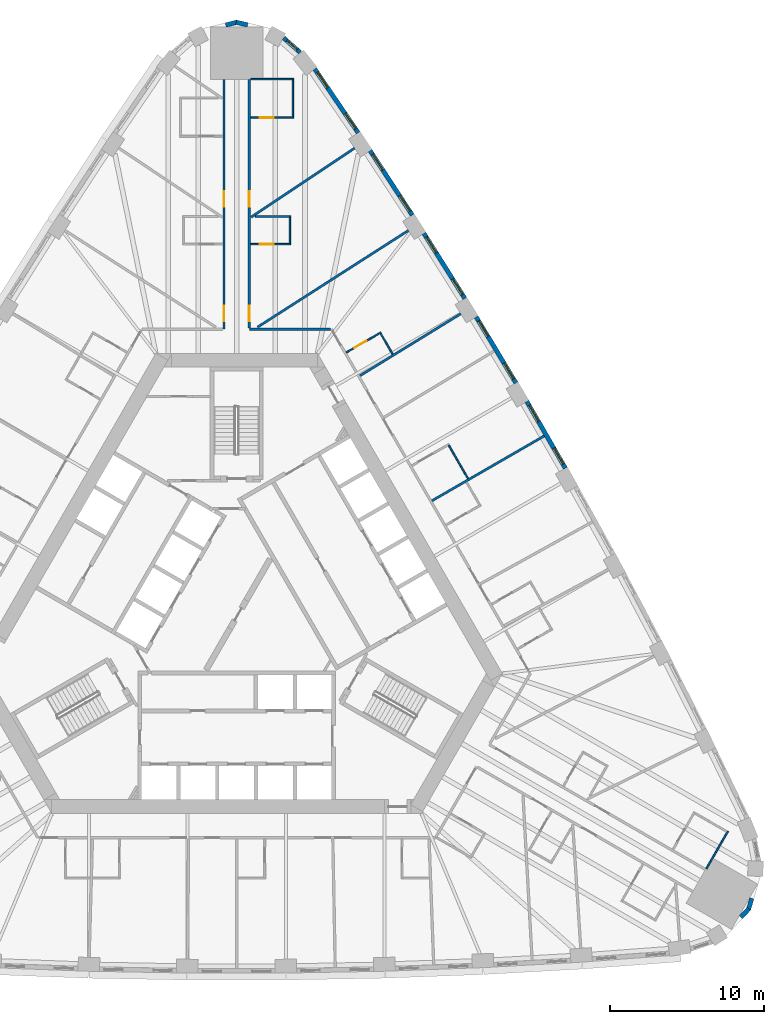
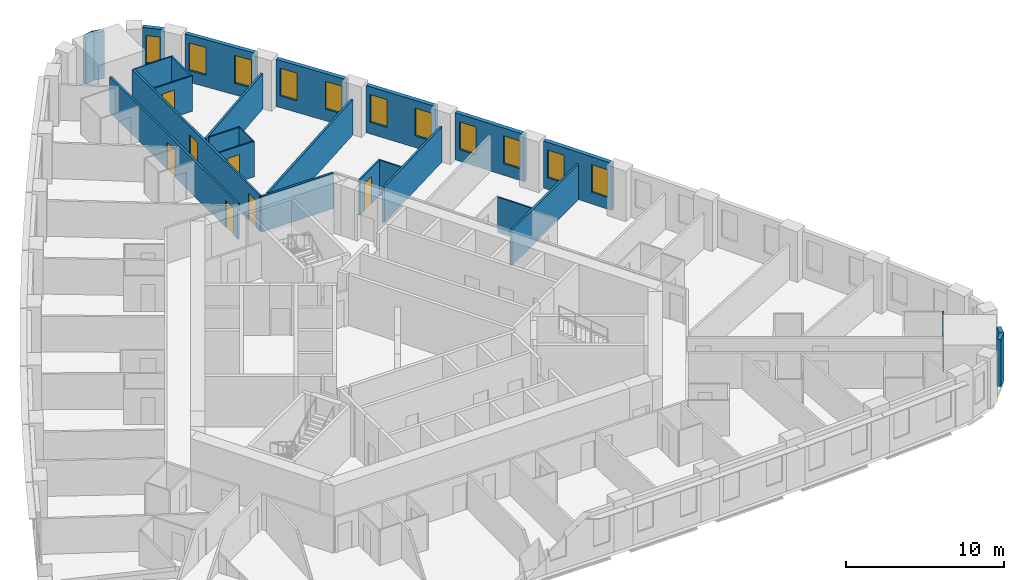
# One storey, part 11 of 13: 27 walls, 11 windows, 7 doors, 18 openings.
"""IFC4 building model written with IfcOpenShell, lengths in metres."""

from ifc_helpers import new_model, si_unit, direction, frame, frame_2d, origin, place, context, subcontext, project, spatial, rectangle, extrude, material, layer, layer_set, type_object, element, fill, save


model = new_model("IFC4")

# Units and contexts
model_context = context("Model", 3, precision=1e-05, world=origin(), true_north=direction((0.0, 1.0)))
body_context = subcontext(model_context, "Body", "Model", "MODEL_VIEW")
ifc_project = project(units=[si_unit("LENGTHUNIT", "METRE"), si_unit("AREAUNIT", "SQUARE_METRE"), si_unit("VOLUMEUNIT", "CUBIC_METRE"), si_unit("PLANEANGLEUNIT", "RADIAN"), si_unit("MASSUNIT", "GRAM", prefix="KILO")], contexts=[model_context])

# Site, building, storey
site_placement = place(None, origin())
site = spatial("IfcSite", under=ifc_project, at=site_placement, CompositionType="ELEMENT")
building_placement = place(site_placement, origin())
building = spatial("IfcBuilding", under=site, at=building_placement, Name="Mestral Congress Tower", CompositionType="ELEMENT")
storey_placement = place(building_placement, frame((0.0, 0.0, 31.5)))
storey = spatial("IfcBuildingStorey", under=building, at=storey_placement, Name="L06", CompositionType="ELEMENT", Elevation=31.5)

# Walls
ifc_material_1 = material(Name="Precast concrete C40/50 with limestone facing", Category="masonry")
ifc_layer_1 = layer(ifc_material_1, 0.2900390625)
ifc_layer_set_1 = layer_set([ifc_layer_1], Name="Precast concrete C40/50 with limestone facing")
wall_type_1 = type_object("IfcWallType", Name="Facade stone wall 290", PredefinedType="SOLIDWALL", material=ifc_layer_set_1)
for number, where, z_axis, x_axis, name in (
    (1, (32.762451171875, -19.732177734375, 0.0), (0.0, 0.0, 1.0), (0.692252359589, 0.721655506903, 0.0), "Facade wall K0-1"),
    (2, (33.256591796875, -19.24072265625, 0.0), (0.0, 0.0, 1.0), (0.278981320915, 0.960296528464, 0.0), "Facade wall K0-2"),
):
    element("IfcWall", number, at=place(storey_placement, frame(where, z_axis=z_axis, x_axis=x_axis)), inside=storey, type_object=wall_type_1, Name=name, PredefinedType="SOLIDWALL", context=body_context, shape_type="SweptSolid", body=[
        extrude(rectangle(XDim=0.763916015625, YDim=0.2900390625, at=frame_2d((0.3818359375, 0.0))), origin(), (0.0, 0.0, 1.0), 3.64990234375),
    ])

# Wall, openings, windows
wall_1_placement = place(storey_placement, frame((21.357177734375, 9.44482421875, 0.0), z_axis=(0.0, 0.0, 1.0), x_axis=(-0.50002123722, 0.866013142123, 0.0)))
wall_1 = element("IfcWall", 3, at=wall_1_placement, inside=storey, type_object=wall_type_1, Name="Facade wall F1-04", PredefinedType="SOLIDWALL", context=body_context, shape_type="SweptSolid", body=[
    extrude(rectangle(XDim=4.998291015625, YDim=0.2900390625, at=frame_2d((2.4990234375, 0.0))), origin(), (0.0, 0.0, 1.0), 3.64990234375),
])
opening_1_placement = place(wall_1_placement, frame((0.297119140625, 0.0, 0.89990234375)))
opening_1 = element("IfcOpeningElement", 4, at=opening_1_placement, cuts=wall_1, Name="Opening W1", PredefinedType="OPENING", context=body_context, shape_type="SweptSolid", body=[
    extrude(rectangle(XDim=1.199951171875, YDim=2.14990234375, at=frame_2d((0.60009765625, 1.074951171875))), frame((0.0, 0.155029296875, 0.0), z_axis=(0.0, -1.0, 0.0), x_axis=(1.0, 0.0, 0.0)), (0.0, 0.0, 1.0), 0.31005859375),
])
opening_2_placement = place(wall_1_placement, frame((3.501220703125, 0.0, 0.89990234375)))
opening_2 = element("IfcOpeningElement", 5, at=opening_2_placement, cuts=wall_1, Name="Opening W1", PredefinedType="OPENING", context=body_context, shape_type="SweptSolid", body=[
    extrude(rectangle(XDim=1.199951171875, YDim=2.14990234375, at=frame_2d((0.60009765625, 1.074951171875))), frame((0.0, 0.155029296875, 0.0), z_axis=(0.0, -1.0, 0.0), x_axis=(1.0, 0.0, 0.0)), (0.0, 0.0, 1.0), 0.31005859375),
])
ifc_material_2 = material(Name="Clear low-emissivity double glazing", Category="glass")
window_type_1 = type_object("IfcWindowType", Name="Facade punched window 1200 x 2150 sill 900", PartitioningType="DOUBLE_PANEL_VERTICAL", PredefinedType="WINDOW", material=ifc_material_2)
window_1_placement = place(opening_1_placement, origin())
window_1 = element("IfcWindow", 6, at=window_1_placement, inside=storey, type_object=window_type_1, Name="Window F1-04a", OverallHeight=2.14990234375, OverallWidth=1.199951171875, PartitioningType="DOUBLE_PANEL_VERTICAL", PredefinedType="WINDOW", context=body_context, shape_type="SweptSolid", body=[
    extrude(rectangle(XDim=1.199951171875, YDim=2.14990234375, at=frame_2d((0.60009765625, 1.074951171875))), frame((0.0, 0.01513671875, 0.0), z_axis=(0.0, -1.0, 0.0), x_axis=(1.0, 0.0, 0.0)), (0.0, 0.0, 1.0), 0.06005859375),
])
fill(opening_1, window_1)
window_2_placement = place(opening_2_placement, origin())
window_2 = element("IfcWindow", 7, at=window_2_placement, inside=storey, type_object=window_type_1, Name="Window F1-04b", OverallHeight=2.14990234375, OverallWidth=1.199951171875, PartitioningType="DOUBLE_PANEL_VERTICAL", PredefinedType="WINDOW", context=body_context, shape_type="SweptSolid", body=[
    extrude(rectangle(XDim=1.199951171875, YDim=2.14990234375, at=frame_2d((0.60009765625, 1.074951171875))), frame((0.0, 0.01513671875, 0.0), z_axis=(0.0, -1.0, 0.0), x_axis=(1.0, 0.0, 0.0)), (0.0, 0.0, 1.0), 0.06005859375),
])
fill(opening_2, window_2)

wall_2_placement = place(storey_placement, frame((18.143310546875, 14.985595703125, 0.0), z_axis=(0.0, 0.0, 1.0), x_axis=(-0.515938796285, 0.856625448191, 0.0)))
wall_2 = element("IfcWall", 8, at=wall_2_placement, inside=storey, type_object=wall_type_1, Name="Facade wall F1-05", PredefinedType="SOLIDWALL", context=body_context, shape_type="SweptSolid", body=[
    extrude(rectangle(XDim=4.998291015625, YDim=0.2900390625, at=frame_2d((2.4990234375, 0.0))), origin(), (0.0, 0.0, 1.0), 3.64990234375),
])
opening_3_placement = place(wall_2_placement, frame((0.297119140625, 0.0, 0.89990234375)))
opening_3 = element("IfcOpeningElement", 9, at=opening_3_placement, cuts=wall_2, Name="Opening W1", PredefinedType="OPENING", context=body_context, shape_type="SweptSolid", body=[
    extrude(rectangle(XDim=1.199951171875, YDim=2.14990234375, at=frame_2d((0.60009765625, 1.074951171875))), frame((0.0, 0.155029296875, 0.0), z_axis=(0.0, -1.0, 0.0), x_axis=(1.0, 0.0, 0.0)), (0.0, 0.0, 1.0), 0.31005859375),
])
opening_4_placement = place(wall_2_placement, frame((3.501220703125, 0.0, 0.89990234375)))
opening_4 = element("IfcOpeningElement", 10, at=opening_4_placement, cuts=wall_2, Name="Opening W1", PredefinedType="OPENING", context=body_context, shape_type="SweptSolid", body=[
    extrude(rectangle(XDim=1.199951171875, YDim=2.14990234375, at=frame_2d((0.60009765625, 1.074951171875))), frame((0.0, 0.155029296875, 0.0), z_axis=(0.0, -1.0, 0.0), x_axis=(1.0, 0.0, 0.0)), (0.0, 0.0, 1.0), 0.31005859375),
])
window_3_placement = place(opening_3_placement, origin())
window_3 = element("IfcWindow", 11, at=window_3_placement, inside=storey, type_object=window_type_1, Name="Window F1-05a", OverallHeight=2.14990234375, OverallWidth=1.199951171875, PartitioningType="DOUBLE_PANEL_VERTICAL", PredefinedType="WINDOW", context=body_context, shape_type="SweptSolid", body=[
    extrude(rectangle(XDim=1.199951171875, YDim=2.14990234375, at=frame_2d((0.60009765625, 1.074951171875))), frame((0.0, 0.01513671875, 0.0), z_axis=(0.0, -1.0, 0.0), x_axis=(1.0, 0.0, 0.0)), (0.0, 0.0, 1.0), 0.06005859375),
])
fill(opening_3, window_3)
window_4_placement = place(opening_4_placement, origin())
window_4 = element("IfcWindow", 12, at=window_4_placement, inside=storey, type_object=window_type_1, Name="Window F1-05b", OverallHeight=2.14990234375, OverallWidth=1.199951171875, PartitioningType="DOUBLE_PANEL_VERTICAL", PredefinedType="WINDOW", context=body_context, shape_type="SweptSolid", body=[
    extrude(rectangle(XDim=1.199951171875, YDim=2.14990234375, at=frame_2d((0.60009765625, 1.074951171875))), frame((0.0, 0.01513671875, 0.0), z_axis=(0.0, -1.0, 0.0), x_axis=(1.0, 0.0, 0.0)), (0.0, 0.0, 1.0), 0.06005859375),
])
fill(opening_4, window_4)

wall_3_placement = place(storey_placement, frame((14.827392578125, 20.466064453125, 0.0), z_axis=(0.0, 0.0, 1.0), x_axis=(-0.531688286542, 0.846940119462, 0.0)))
wall_3 = element("IfcWall", 13, at=wall_3_placement, inside=storey, type_object=wall_type_1, Name="Facade wall F1-06", PredefinedType="SOLIDWALL", context=body_context, shape_type="SweptSolid", body=[
    extrude(rectangle(XDim=4.998291015625, YDim=0.2900390625, at=frame_2d((2.4990234375, 0.0))), origin(), (0.0, 0.0, 1.0), 3.64990234375),
])
opening_5_placement = place(wall_3_placement, frame((0.297119140625, 0.0, 0.89990234375)))
opening_5 = element("IfcOpeningElement", 14, at=opening_5_placement, cuts=wall_3, Name="Opening W1", PredefinedType="OPENING", context=body_context, shape_type="SweptSolid", body=[
    extrude(rectangle(XDim=1.199951171875, YDim=2.14990234375, at=frame_2d((0.60009765625, 1.074951171875))), frame((0.0, 0.155029296875, 0.0), z_axis=(0.0, -1.0, 0.0), x_axis=(1.0, 0.0, 0.0)), (0.0, 0.0, 1.0), 0.31005859375),
])
opening_6_placement = place(wall_3_placement, frame((3.501220703125, 0.0, 0.89990234375)))
opening_6 = element("IfcOpeningElement", 15, at=opening_6_placement, cuts=wall_3, Name="Opening W1", PredefinedType="OPENING", context=body_context, shape_type="SweptSolid", body=[
    extrude(rectangle(XDim=1.199951171875, YDim=2.14990234375, at=frame_2d((0.60009765625, 1.074951171875))), frame((0.0, 0.155029296875, 0.0), z_axis=(0.0, -1.0, 0.0), x_axis=(1.0, 0.0, 0.0)), (0.0, 0.0, 1.0), 0.31005859375),
])
window_5_placement = place(opening_5_placement, origin())
window_5 = element("IfcWindow", 16, at=window_5_placement, inside=storey, type_object=window_type_1, Name="Window F1-06a", OverallHeight=2.14990234375, OverallWidth=1.199951171875, PartitioningType="DOUBLE_PANEL_VERTICAL", PredefinedType="WINDOW", context=body_context, shape_type="SweptSolid", body=[
    extrude(rectangle(XDim=1.199951171875, YDim=2.14990234375, at=frame_2d((0.60009765625, 1.074951171875))), frame((0.0, 0.01513671875, 0.0), z_axis=(0.0, -1.0, 0.0), x_axis=(1.0, 0.0, 0.0)), (0.0, 0.0, 1.0), 0.06005859375),
])
fill(opening_5, window_5)
window_6_placement = place(opening_6_placement, origin())
window_6 = element("IfcWindow", 17, at=window_6_placement, inside=storey, type_object=window_type_1, Name="Window F1-06b", OverallHeight=2.14990234375, OverallWidth=1.199951171875, PartitioningType="DOUBLE_PANEL_VERTICAL", PredefinedType="WINDOW", context=body_context, shape_type="SweptSolid", body=[
    extrude(rectangle(XDim=1.199951171875, YDim=2.14990234375, at=frame_2d((0.60009765625, 1.074951171875))), frame((0.0, 0.01513671875, 0.0), z_axis=(0.0, -1.0, 0.0), x_axis=(1.0, 0.0, 0.0)), (0.0, 0.0, 1.0), 0.06005859375),
])
fill(opening_6, window_6)

wall_4_placement = place(storey_placement, frame((11.41064453125, 25.884033203125, 0.0), z_axis=(0.0, 0.0, 1.0), x_axis=(-0.547204617628, 0.836998868845, 0.0)))
wall_4 = element("IfcWall", 18, at=wall_4_placement, inside=storey, type_object=wall_type_1, Name="Facade wall F1-07", PredefinedType="SOLIDWALL", context=body_context, shape_type="SweptSolid", body=[
    extrude(rectangle(XDim=4.998291015625, YDim=0.2900390625, at=frame_2d((2.4990234375, 0.0))), origin(), (0.0, 0.0, 1.0), 3.64990234375),
])
opening_7_placement = place(wall_4_placement, frame((0.297119140625, 0.0, 0.89990234375)))
opening_7 = element("IfcOpeningElement", 19, at=opening_7_placement, cuts=wall_4, Name="Opening W1", PredefinedType="OPENING", context=body_context, shape_type="SweptSolid", body=[
    extrude(rectangle(XDim=1.199951171875, YDim=2.14990234375, at=frame_2d((0.60009765625, 1.074951171875))), frame((0.0, 0.155029296875, 0.0), z_axis=(0.0, -1.0, 0.0), x_axis=(1.0, 0.0, 0.0)), (0.0, 0.0, 1.0), 0.31005859375),
])
opening_8_placement = place(wall_4_placement, frame((3.501220703125, 0.0, 0.89990234375)))
opening_8 = element("IfcOpeningElement", 20, at=opening_8_placement, cuts=wall_4, Name="Opening W1", PredefinedType="OPENING", context=body_context, shape_type="SweptSolid", body=[
    extrude(rectangle(XDim=1.199951171875, YDim=2.14990234375, at=frame_2d((0.60009765625, 1.074951171875))), frame((0.0, 0.155029296875, 0.0), z_axis=(0.0, -1.0, 0.0), x_axis=(1.0, 0.0, 0.0)), (0.0, 0.0, 1.0), 0.31005859375),
])
window_7_placement = place(opening_7_placement, origin())
window_7 = element("IfcWindow", 21, at=window_7_placement, inside=storey, type_object=window_type_1, Name="Window F1-07a", OverallHeight=2.14990234375, OverallWidth=1.199951171875, PartitioningType="DOUBLE_PANEL_VERTICAL", PredefinedType="WINDOW", context=body_context, shape_type="SweptSolid", body=[
    extrude(rectangle(XDim=1.199951171875, YDim=2.14990234375, at=frame_2d((0.60009765625, 1.074951171875))), frame((0.0, 0.01513671875, 0.0), z_axis=(0.0, -1.0, 0.0), x_axis=(1.0, 0.0, 0.0)), (0.0, 0.0, 1.0), 0.06005859375),
])
fill(opening_7, window_7)
window_8_placement = place(opening_8_placement, origin())
window_8 = element("IfcWindow", 22, at=window_8_placement, inside=storey, type_object=window_type_1, Name="Window F1-07b", OverallHeight=2.14990234375, OverallWidth=1.199951171875, PartitioningType="DOUBLE_PANEL_VERTICAL", PredefinedType="WINDOW", context=body_context, shape_type="SweptSolid", body=[
    extrude(rectangle(XDim=1.199951171875, YDim=2.14990234375, at=frame_2d((0.60009765625, 1.074951171875))), frame((0.0, 0.01513671875, 0.0), z_axis=(0.0, -1.0, 0.0), x_axis=(1.0, 0.0, 0.0)), (0.0, 0.0, 1.0), 0.06005859375),
])
fill(opening_8, window_8)

wall_5_placement = place(storey_placement, frame((7.89453125, 31.23828125, 0.0), z_axis=(0.0, 0.0, 1.0), x_axis=(-0.562610153679, 0.826722332454, 0.0)))
wall_5 = element("IfcWall", 23, at=wall_5_placement, inside=storey, type_object=wall_type_1, Name="Facade wall F1-08", PredefinedType="SOLIDWALL", context=body_context, shape_type="SweptSolid", body=[
    extrude(rectangle(XDim=5.005615234375, YDim=0.2900390625, at=frame_2d((2.5029296875, 0.0))), origin(), (0.0, 0.0, 1.0), 3.64990234375),
])
opening_9_placement = place(wall_5_placement, frame((0.310302734375, 0.0, 0.89990234375)))
opening_9 = element("IfcOpeningElement", 24, at=opening_9_placement, cuts=wall_5, Name="Opening W1", PredefinedType="OPENING", context=body_context, shape_type="SweptSolid", body=[
    extrude(rectangle(XDim=1.199951171875, YDim=2.14990234375, at=frame_2d((0.60009765625, 1.074951171875))), frame((0.0, 0.155029296875, 0.0), z_axis=(0.0, -1.0, 0.0), x_axis=(1.0, 0.0, 0.0)), (0.0, 0.0, 1.0), 0.31005859375),
])
opening_10_placement = place(wall_5_placement, frame((3.54052734375, 0.0, 0.89990234375)))
opening_10 = element("IfcOpeningElement", 25, at=opening_10_placement, cuts=wall_5, Name="Opening W1", PredefinedType="OPENING", context=body_context, shape_type="SweptSolid", body=[
    extrude(rectangle(XDim=1.199951171875, YDim=2.14990234375, at=frame_2d((0.60009765625, 1.074951171875))), frame((0.0, 0.155029296875, 0.0), z_axis=(0.0, -1.0, 0.0), x_axis=(1.0, 0.0, 0.0)), (0.0, 0.0, 1.0), 0.31005859375),
])
window_9_placement = place(opening_9_placement, origin())
window_9 = element("IfcWindow", 26, at=window_9_placement, inside=storey, type_object=window_type_1, Name="Window F1-08a", OverallHeight=2.14990234375, OverallWidth=1.199951171875, PartitioningType="DOUBLE_PANEL_VERTICAL", PredefinedType="WINDOW", context=body_context, shape_type="SweptSolid", body=[
    extrude(rectangle(XDim=1.199951171875, YDim=2.14990234375, at=frame_2d((0.60009765625, 1.074951171875))), frame((0.0, 0.01513671875, 0.0), z_axis=(0.0, -1.0, 0.0), x_axis=(1.0, 0.0, 0.0)), (0.0, 0.0, 1.0), 0.06005859375),
])
fill(opening_9, window_9)
window_10_placement = place(opening_10_placement, origin())
window_10 = element("IfcWindow", 27, at=window_10_placement, inside=storey, type_object=window_type_1, Name="Window F1-08b", OverallHeight=2.14990234375, OverallWidth=1.199951171875, PartitioningType="DOUBLE_PANEL_VERTICAL", PredefinedType="WINDOW", context=body_context, shape_type="SweptSolid", body=[
    extrude(rectangle(XDim=1.199951171875, YDim=2.14990234375, at=frame_2d((0.60009765625, 1.074951171875))), frame((0.0, 0.01513671875, 0.0), z_axis=(0.0, -1.0, 0.0), x_axis=(1.0, 0.0, 0.0)), (0.0, 0.0, 1.0), 0.06005859375),
])
fill(opening_10, window_10)

# Wall, opening, window
wall_6_placement = place(storey_placement, frame((4.12548828125, 36.458984375, 0.0), z_axis=(0.0, 0.0, 1.0), x_axis=(-0.749812680302, 0.661650167731, 0.0)))
wall_6 = element("IfcWall", 28, at=wall_6_placement, inside=storey, type_object=wall_type_1, Name="Facade wall K1-0", PredefinedType="SOLIDWALL", context=body_context, shape_type="SweptSolid", body=[
    extrude(rectangle(XDim=1.4150390625, YDim=0.2900390625, at=frame_2d((0.70751953125, 0.0))), origin(), (0.0, 0.0, 1.0), 3.64990234375),
])
opening_11_placement = place(wall_6_placement, frame((0.257568359375, 0.0, 0.89990234375)))
opening_11 = element("IfcOpeningElement", 29, at=opening_11_placement, cuts=wall_6, Name="Opening W3", PredefinedType="OPENING", context=body_context, shape_type="SweptSolid", body=[
    extrude(rectangle(XDim=0.89990234375, YDim=2.14990234375, at=frame_2d((0.449951171875, 1.074951171875))), frame((0.0, 0.155029296875, 0.0), z_axis=(0.0, -1.0, 0.0), x_axis=(1.0, 0.0, 0.0)), (0.0, 0.0, 1.0), 0.31005859375),
])
window_type_2 = type_object("IfcWindowType", Name="Facade punched window 900 x 2150 sill 900", PartitioningType="SINGLE_PANEL", PredefinedType="WINDOW", material=ifc_material_2)
window_11_placement = place(opening_11_placement, origin())
window_11 = element("IfcWindow", 30, at=window_11_placement, inside=storey, type_object=window_type_2, Name="Window K1-0", OverallHeight=2.14990234375, OverallWidth=0.89990234375, PartitioningType="SINGLE_PANEL", PredefinedType="WINDOW", context=body_context, shape_type="SweptSolid", body=[
    extrude(rectangle(XDim=0.89990234375, YDim=2.14990234375, at=frame_2d((0.449951171875, 1.074951171875))), frame((0.0, 0.01513671875, 0.0), z_axis=(0.0, -1.0, 0.0), x_axis=(1.0, 0.0, 0.0)), (0.0, 0.0, 1.0), 0.06005859375),
])
fill(opening_11, window_11)

# Walls
for number, where, z_axis, x_axis, name in (
    (31, (0.707275390625, 38.2392578125, 0.0), (0.0, 0.0, 1.0), (-0.971167582305, 0.238397833629, 0.0), "Facade wall K1-1"),
    (32, (0.03466796875, 38.42138671875, 0.0), (0.0, 0.0, 1.0), (-0.971167582305, -0.238397833629, 0.0), "Facade wall K1-2"),
):
    element("IfcWall", number, at=place(storey_placement, frame(where, z_axis=z_axis, x_axis=x_axis)), inside=storey, type_object=wall_type_1, Name=name, PredefinedType="SOLIDWALL", context=body_context, shape_type="SweptSolid", body=[
        extrude(rectangle(XDim=0.763916015625, YDim=0.2900390625, at=frame_2d((0.3818359375, 0.0))), origin(), (0.0, 0.0, 1.0), 3.64990234375),
    ])
ifc_material_3 = material(Name="Gypsum board partition on metal studs with mineral wool", Category="composite")
ifc_layer_2 = layer(ifc_material_3, 0.10009765625)
ifc_layer_set_2 = layer_set([ifc_layer_2], Name="Gypsum board partition on metal studs with mineral wool")
wall_type_2 = type_object("IfcWallType", Name="Hotel partition wall 100", PredefinedType="PARTITIONING", material=ifc_layer_set_2)
wall_7_placement = place(storey_placement, frame((30.517578125, -16.580078125, 0.0), z_axis=(0.0, 0.0, 1.0), x_axis=(0.49998411664, 0.866034573852, 0.0)))
element("IfcWall", 33, at=wall_7_placement, inside=storey, type_object=wall_type_2, Name="L06-h-pod11c", PredefinedType="PARTITIONING", context=body_context, shape_type="SweptSolid", body=[
    extrude(rectangle(XDim=2.7998046875, YDim=0.10009765625, at=frame_2d((1.39990234375, 0.0))), origin(), (0.0, 0.0, 1.0), 2.75),
])
wall_8_placement = place(storey_placement, frame((13.781005859375, 10.9306640625, 0.0), z_axis=(0.0, 0.0, 1.0), x_axis=(0.500004234368, -0.866022959057, 0.0)))
element("IfcWall", 34, at=wall_8_placement, inside=storey, type_object=wall_type_2, Name="L06-h-pod16b", PredefinedType="PARTITIONING", context=body_context, shape_type="SweptSolid", body=[
    extrude(rectangle(XDim=2.5, YDim=0.10009765625, at=frame_2d((1.25, 0.0))), origin(), (0.0, 0.0, 1.0), 2.75),
])

# Wall, opening, door
wall_9_placement = place(storey_placement, frame((9.37548828125, 18.26123046875, 0.0), z_axis=(0.0, 0.0, 1.0), x_axis=(-0.866021400173, -0.500006934395, 0.0)))
wall_9 = element("IfcWall", 35, at=wall_9_placement, inside=storey, type_object=wall_type_2, Name="L06-h-pod18a", PredefinedType="PARTITIONING", context=body_context, shape_type="SweptSolid", body=[
    extrude(rectangle(XDim=2.60009765625, YDim=0.10009765625, at=frame_2d((1.300048828125, 0.0))), origin(), (0.0, 0.0, 1.0), 2.75),
])
opening_12_placement = place(wall_9_placement, frame((1.10009765625, 0.0, 0.0)))
opening_12 = element("IfcOpeningElement", 36, at=opening_12_placement, cuts=wall_9, Name="Opening H01-034", PredefinedType="OPENING", context=body_context, shape_type="SweptSolid", body=[
    extrude(rectangle(XDim=0.89990234375, YDim=2.10009765625, at=frame_2d((0.449951171875, 1.050048828125))), frame((0.0, 0.06005859375, 0.0), z_axis=(0.0, -1.0, 0.0), x_axis=(1.0, 0.0, 0.0)), (0.0, 0.0, 1.0), 0.1201171875),
])
ifc_material_4 = material(Name="Timber veneer door leaf in timber frame", Category="wood")
door_type_1 = type_object("IfcDoorType", Name="Bathroom door 900", OperationType="SINGLE_SWING_LEFT", PredefinedType="DOOR", material=ifc_material_4)
door_1_placement = place(opening_12_placement, origin())
door_1 = element("IfcDoor", 37, at=door_1_placement, inside=storey, type_object=door_type_1, Name="L06-h-d034", OperationType="SINGLE_SWING_RIGHT", OverallHeight=2.10009765625, OverallWidth=0.89990234375, PredefinedType="DOOR", context=body_context, shape_type="SweptSolid", body=[
    extrude(rectangle(XDim=0.89990234375, YDim=2.10009765625, at=frame_2d((0.449951171875, 1.050048828125))), frame((0.0, 0.02490234375, 0.0), z_axis=(0.0, -1.0, 0.0), x_axis=(1.0, 0.0, 0.0)), (0.0, 0.0, 1.0), 0.050048828125),
])
fill(opening_12, door_1)

# Wall
wall_10_placement = place(storey_placement, frame((9.357177734375, 18.193115234375, 0.0), z_axis=(0.0, 0.0, 1.0), x_axis=(0.499899694197, -0.866083307622, 0.0)))
element("IfcWall", 38, at=wall_10_placement, inside=storey, type_object=wall_type_2, Name="L06-h-pod18b", PredefinedType="PARTITIONING", context=body_context, shape_type="SweptSolid", body=[
    extrude(rectangle(XDim=1.550048828125, YDim=0.10009765625, at=frame_2d((0.77490234375, 0.0))), origin(), (0.0, 0.0, 1.0), 2.75),
])

# Wall, opening, door
wall_11_placement = place(storey_placement, frame((0.89990234375, 23.994384765625, 0.0), z_axis=(0.0, 0.0, 1.0), x_axis=(1.0, 0.0, 0.0)))
wall_11 = element("IfcWall", 39, at=wall_11_placement, inside=storey, type_object=wall_type_2, Name="L06-h-pod19a", PredefinedType="PARTITIONING", context=body_context, shape_type="SweptSolid", body=[
    extrude(rectangle(XDim=2.60009765625, YDim=0.10009765625, at=frame_2d((1.300048828125, 0.0))), origin(), (0.0, 0.0, 1.0), 2.75),
])
opening_13_placement = place(wall_11_placement, frame((0.60009765625, 0.0, 0.0)))
opening_13 = element("IfcOpeningElement", 40, at=opening_13_placement, cuts=wall_11, Name="Opening H01-036", PredefinedType="OPENING", context=body_context, shape_type="SweptSolid", body=[
    extrude(rectangle(XDim=0.89990234375, YDim=2.10009765625, at=frame_2d((0.449951171875, 1.050048828125))), frame((0.0, 0.06005859375, 0.0), z_axis=(0.0, -1.0, 0.0), x_axis=(1.0, 0.0, 0.0)), (0.0, 0.0, 1.0), 0.1201171875),
])
door_2_placement = place(opening_13_placement, origin())
door_2 = element("IfcDoor", 41, at=door_2_placement, inside=storey, type_object=door_type_1, Name="L06-h-d036", OperationType="SINGLE_SWING_LEFT", OverallHeight=2.10009765625, OverallWidth=0.89990234375, PredefinedType="DOOR", context=body_context, shape_type="SweptSolid", body=[
    extrude(rectangle(XDim=0.89990234375, YDim=2.10009765625, at=frame_2d((0.449951171875, 1.050048828125))), frame((0.0, 0.02490234375, 0.0), z_axis=(0.0, -1.0, 0.0), x_axis=(1.0, 0.0, 0.0)), (0.0, 0.0, 1.0), 0.050048828125),
])
fill(opening_13, door_2)

# Walls
wall_12_placement = place(storey_placement, frame((3.449951171875, 24.04443359375, 0.0), z_axis=(0.0, 0.0, 1.0), x_axis=(0.0, 1.0, 0.0)))
element("IfcWall", 42, at=wall_12_placement, inside=storey, type_object=wall_type_2, Name="L06-h-pod19b", PredefinedType="PARTITIONING", context=body_context, shape_type="SweptSolid", body=[
    extrude(rectangle(XDim=1.699951171875, YDim=0.10009765625, at=frame_2d((0.85009765625, 0.0))), origin(), (0.0, 0.0, 1.0), 2.75),
])
wall_13_placement = place(storey_placement, frame((1.2099609375, 25.79443359375, 0.0), z_axis=(0.0, 0.0, 1.0), x_axis=(1.0, 0.0, 0.0)))
element("IfcWall", 43, at=wall_13_placement, inside=storey, type_object=wall_type_2, Name="L06-h-pod19c", PredefinedType="PARTITIONING", context=body_context, shape_type="SweptSolid", body=[
    extrude(rectangle(XDim=2.2900390625, YDim=0.10009765625, at=frame_2d((1.14501953125, 0.0))), origin(), (0.0, 0.0, 1.0), 2.75),
])

# Wall, opening, door
wall_14_placement = place(storey_placement, frame((0.89990234375, 32.218994140625, 0.0), z_axis=(0.0, 0.0, 1.0), x_axis=(1.0, 0.0, 0.0)))
wall_14 = element("IfcWall", 44, at=wall_14_placement, inside=storey, type_object=wall_type_2, Name="L06-h-pod20a", PredefinedType="PARTITIONING", context=body_context, shape_type="SweptSolid", body=[
    extrude(rectangle(XDim=2.800048828125, YDim=0.10009765625, at=frame_2d((1.39990234375, 0.0))), origin(), (0.0, 0.0, 1.0), 2.75),
])
opening_14_placement = place(wall_14_placement, frame((0.60009765625, 0.0, 0.0)))
opening_14 = element("IfcOpeningElement", 45, at=opening_14_placement, cuts=wall_14, Name="Opening H01-038", PredefinedType="OPENING", context=body_context, shape_type="SweptSolid", body=[
    extrude(rectangle(XDim=0.89990234375, YDim=2.10009765625, at=frame_2d((0.449951171875, 1.050048828125))), frame((0.0, 0.06005859375, 0.0), z_axis=(0.0, -1.0, 0.0), x_axis=(1.0, 0.0, 0.0)), (0.0, 0.0, 1.0), 0.1201171875),
])
door_3_placement = place(opening_14_placement, origin())
door_3 = element("IfcDoor", 46, at=door_3_placement, inside=storey, type_object=door_type_1, Name="L06-h-d038", OperationType="SINGLE_SWING_LEFT", OverallHeight=2.10009765625, OverallWidth=0.89990234375, PredefinedType="DOOR", context=body_context, shape_type="SweptSolid", body=[
    extrude(rectangle(XDim=0.89990234375, YDim=2.10009765625, at=frame_2d((0.449951171875, 1.050048828125))), frame((0.0, 0.02490234375, 0.0), z_axis=(0.0, -1.0, 0.0), x_axis=(1.0, 0.0, 0.0)), (0.0, 0.0, 1.0), 0.050048828125),
])
fill(opening_14, door_3)

# Walls
wall_15_placement = place(storey_placement, frame((3.64990234375, 32.268798828125, 0.0), z_axis=(0.0, 0.0, 1.0), x_axis=(0.0, 1.0, 0.0)))
element("IfcWall", 47, at=wall_15_placement, inside=storey, type_object=wall_type_2, Name="L06-h-pod20b", PredefinedType="PARTITIONING", context=body_context, shape_type="SweptSolid", body=[
    extrude(rectangle(XDim=2.400146484375, YDim=0.10009765625, at=frame_2d((1.2001953125, 0.0))), origin(), (0.0, 0.0, 1.0), 2.75),
])
wall_16_placement = place(storey_placement, frame((0.89990234375, 34.718994140625, 0.0), z_axis=(0.0, 0.0, 1.0), x_axis=(1.0, 0.0, 0.0)))
element("IfcWall", 48, at=wall_16_placement, inside=storey, type_object=wall_type_2, Name="L06-h-pod20c", PredefinedType="PARTITIONING", context=body_context, shape_type="SweptSolid", body=[
    extrude(rectangle(XDim=2.800048828125, YDim=0.10009765625, at=frame_2d((1.39990234375, 0.0))), origin(), (0.0, 0.0, 1.0), 2.75),
])
ifc_layer_3 = layer(ifc_material_3, 0.14990234375)
ifc_layer_set_3 = layer_set([ifc_layer_3], Name="Gypsum board partition on metal studs with mineral wool")
wall_type_3 = type_object("IfcWallType", Name="Hotel partition wall 150", PredefinedType="PARTITIONING", material=ifc_layer_set_3)
wall_17_placement = place(storey_placement, frame((0.824951171875, 18.47509765625, 0.0), z_axis=(0.0, 0.0, 1.0), x_axis=(1.0, 0.0, 0.0)))
element("IfcWall", 49, at=wall_17_placement, inside=storey, type_object=wall_type_3, Name="L06-h-cw04", PredefinedType="PARTITIONING", context=body_context, shape_type="SweptSolid", body=[
    extrude(rectangle(XDim=5.268310546875, YDim=0.14990234375, at=frame_2d((2.63427734375, 0.0))), origin(), (0.0, 0.0, 1.0), 2.75),
])

# Wall, openings, doors
wall_18_placement = place(storey_placement, frame((0.824951171875, 34.698974609375, 0.0), z_axis=(0.0, 0.0, 1.0), x_axis=(0.0, -1.0, 0.0)))
wall_18 = element("IfcWall", 50, at=wall_18_placement, inside=storey, type_object=wall_type_3, Name="L06-h-cw05", PredefinedType="PARTITIONING", context=body_context, shape_type="SweptSolid", body=[
    extrude(rectangle(XDim=16.14404296875, YDim=0.14990234375, at=frame_2d((8.072021484375, 0.0))), origin(), (0.0, 0.0, 1.0), 2.75),
])
opening_15_placement = place(wall_18_placement, frame((14.7138671875, 0.0, 0.0)))
opening_15 = element("IfcOpeningElement", 51, at=opening_15_placement, cuts=wall_18, Name="Opening H01-035", PredefinedType="OPENING", context=body_context, shape_type="SweptSolid", body=[
    extrude(rectangle(XDim=1.0, YDim=2.10009765625, at=frame_2d((0.5, 1.050048828125))), frame((0.0, 0.0849609375, 0.0), z_axis=(0.0, -1.0, 0.0), x_axis=(1.0, 0.0, 0.0)), (0.0, 0.0, 1.0), 0.169921875),
])
opening_16_placement = place(wall_18_placement, frame((7.27490234375, 0.0, 0.0)))
opening_16 = element("IfcOpeningElement", 52, at=opening_16_placement, cuts=wall_18, Name="Opening H01-037", PredefinedType="OPENING", context=body_context, shape_type="SweptSolid", body=[
    extrude(rectangle(XDim=1.0, YDim=2.10009765625, at=frame_2d((0.5, 1.050048828125))), frame((0.0, 0.0849609375, 0.0), z_axis=(0.0, -1.0, 0.0), x_axis=(1.0, 0.0, 0.0)), (0.0, 0.0, 1.0), 0.169921875),
])
ifc_material_5 = material(Name="Timber veneer door leaf in metal frame", Category="wood")
door_type_2 = type_object("IfcDoorType", Name="Guest room entrance door 1000", OperationType="SINGLE_SWING_LEFT", PredefinedType="DOOR", material=ifc_material_5)
door_4_placement = place(opening_15_placement, origin())
door_4 = element("IfcDoor", 53, at=door_4_placement, inside=storey, type_object=door_type_2, Name="L06-h-d035", OperationType="SINGLE_SWING_RIGHT", OverallHeight=2.10009765625, OverallWidth=1.0, PredefinedType="DOOR", context=body_context, shape_type="SweptSolid", body=[
    extrude(rectangle(XDim=1.0, YDim=2.10009765625, at=frame_2d((0.5, 1.050048828125))), frame((0.0, 0.02490234375, 0.0), z_axis=(0.0, -1.0, 0.0), x_axis=(1.0, 0.0, 0.0)), (0.0, 0.0, 1.0), 0.050048828125),
])
fill(opening_15, door_4)
door_5_placement = place(opening_16_placement, origin())
door_5 = element("IfcDoor", 54, at=door_5_placement, inside=storey, type_object=door_type_2, Name="L06-h-d037", OperationType="SINGLE_SWING_RIGHT", OverallHeight=2.10009765625, OverallWidth=1.0, PredefinedType="DOOR", context=body_context, shape_type="SweptSolid", body=[
    extrude(rectangle(XDim=1.0, YDim=2.10009765625, at=frame_2d((0.5, 1.050048828125))), frame((0.0, 0.02490234375, 0.0), z_axis=(0.0, -1.0, 0.0), x_axis=(1.0, 0.0, 0.0)), (0.0, 0.0, 1.0), 0.050048828125),
])
fill(opening_16, door_5)

wall_19_placement = place(storey_placement, frame((-0.824951171875, 18.47509765625, 0.0), z_axis=(0.0, 0.0, 1.0), x_axis=(0.0, 1.0, 0.0)))
wall_19 = element("IfcWall", 55, at=wall_19_placement, inside=storey, type_object=wall_type_3, Name="L06-h-cw06", PredefinedType="PARTITIONING", context=body_context, shape_type="SweptSolid", body=[
    extrude(rectangle(XDim=16.223876953125, YDim=0.14990234375, at=frame_2d((8.11181640625, 0.0))), origin(), (0.0, 0.0, 1.0), 2.75),
])
opening_17_placement = place(wall_19_placement, frame((7.948974609375, 0.0, 0.0)))
opening_17 = element("IfcOpeningElement", 56, at=opening_17_placement, cuts=wall_19, Name="Opening H01-039", PredefinedType="OPENING", context=body_context, shape_type="SweptSolid", body=[
    extrude(rectangle(XDim=1.0, YDim=2.10009765625, at=frame_2d((0.5, 1.050048828125))), frame((0.0, 0.0849609375, 0.0), z_axis=(0.0, -1.0, 0.0), x_axis=(1.0, 0.0, 0.0)), (0.0, 0.0, 1.0), 0.169921875),
])
opening_18_placement = place(wall_19_placement, frame((0.52587890625, 0.0, 0.0)))
opening_18 = element("IfcOpeningElement", 57, at=opening_18_placement, cuts=wall_19, Name="Opening H01-041", PredefinedType="OPENING", context=body_context, shape_type="SweptSolid", body=[
    extrude(rectangle(XDim=1.0, YDim=2.10009765625, at=frame_2d((0.5, 1.050048828125))), frame((0.0, 0.0849609375, 0.0), z_axis=(0.0, -1.0, 0.0), x_axis=(1.0, 0.0, 0.0)), (0.0, 0.0, 1.0), 0.169921875),
])
door_6_placement = place(opening_17_placement, origin())
door_6 = element("IfcDoor", 58, at=door_6_placement, inside=storey, type_object=door_type_2, Name="L06-h-d039", OperationType="SINGLE_SWING_LEFT", OverallHeight=2.10009765625, OverallWidth=1.0, PredefinedType="DOOR", context=body_context, shape_type="SweptSolid", body=[
    extrude(rectangle(XDim=1.0, YDim=2.10009765625, at=frame_2d((0.5, 1.050048828125))), frame((0.0, 0.02490234375, 0.0), z_axis=(0.0, -1.0, 0.0), x_axis=(1.0, 0.0, 0.0)), (0.0, 0.0, 1.0), 0.050048828125),
])
fill(opening_17, door_6)
door_7_placement = place(opening_18_placement, origin())
door_7 = element("IfcDoor", 59, at=door_7_placement, inside=storey, type_object=door_type_2, Name="L06-h-d041", OperationType="SINGLE_SWING_LEFT", OverallHeight=2.10009765625, OverallWidth=1.0, PredefinedType="DOOR", context=body_context, shape_type="SweptSolid", body=[
    extrude(rectangle(XDim=1.0, YDim=2.10009765625, at=frame_2d((0.5, 1.050048828125))), frame((0.0, 0.02490234375, 0.0), z_axis=(0.0, -1.0, 0.0), x_axis=(1.0, 0.0, 0.0)), (0.0, 0.0, 1.0), 0.050048828125),
])
fill(opening_18, door_7)

# Walls
wall_20_placement = place(storey_placement, frame((7.662353515625, 30.237548828125, 0.0), z_axis=(0.0, 0.0, 1.0), x_axis=(-0.831882886825, -0.554951225431, 0.0)))
element("IfcWall", 60, at=wall_20_placement, inside=storey, type_object=wall_type_3, Name="L06-h-pw17", PredefinedType="PARTITIONING", context=body_context, shape_type="SweptSolid", body=[
    extrude(rectangle(XDim=8.078857421875, YDim=0.14990234375, at=frame_2d((4.03955078125, 0.0))), origin(), (0.0, 0.0, 1.0), 2.75),
])
wall_21_placement = place(storey_placement, frame((11.16015625, 24.887939453125, 0.0), z_axis=(0.0, 0.0, 1.0), x_axis=(-0.84199813156, -0.539480441211, 0.0)))
element("IfcWall", 61, at=wall_21_placement, inside=storey, type_object=wall_type_3, Name="L06-h-pw18", PredefinedType="PARTITIONING", context=body_context, shape_type="SweptSolid", body=[
    extrude(rectangle(XDim=11.63818359375, YDim=0.14990234375, at=frame_2d((5.819091796875, 0.0))), origin(), (0.0, 0.0, 1.0), 2.75),
])
wall_22_placement = place(storey_placement, frame((14.55810546875, 19.474609375, 0.0), z_axis=(0.0, 0.0, 1.0), x_axis=(-0.851829455142, -0.523819223925, 0.0)))
element("IfcWall", 62, at=wall_22_placement, inside=storey, type_object=wall_type_3, Name="L06-h-pw20", PredefinedType="PARTITIONING", context=body_context, shape_type="SweptSolid", body=[
    extrude(rectangle(XDim=7.68798828125, YDim=0.14990234375, at=frame_2d((3.843994140625, 0.0))), origin(), (0.0, 0.0, 1.0), 2.75),
])
wall_23_placement = place(storey_placement, frame((19.98193359375, 11.53662109375, 0.0), z_axis=(0.0, 0.0, 1.0), x_axis=(-0.866020994654, -0.500007636761, 0.0)))
element("IfcWall", 63, at=wall_23_placement, inside=storey, type_object=wall_type_3, Name="L06-h-pw23", PredefinedType="PARTITIONING", context=body_context, shape_type="SweptSolid", body=[
    extrude(rectangle(XDim=8.423095703125, YDim=0.14990234375, at=frame_2d((4.21142578125, 0.0))), origin(), (0.0, 0.0, 1.0), 2.75),
])

save(model, "model.ifc")
